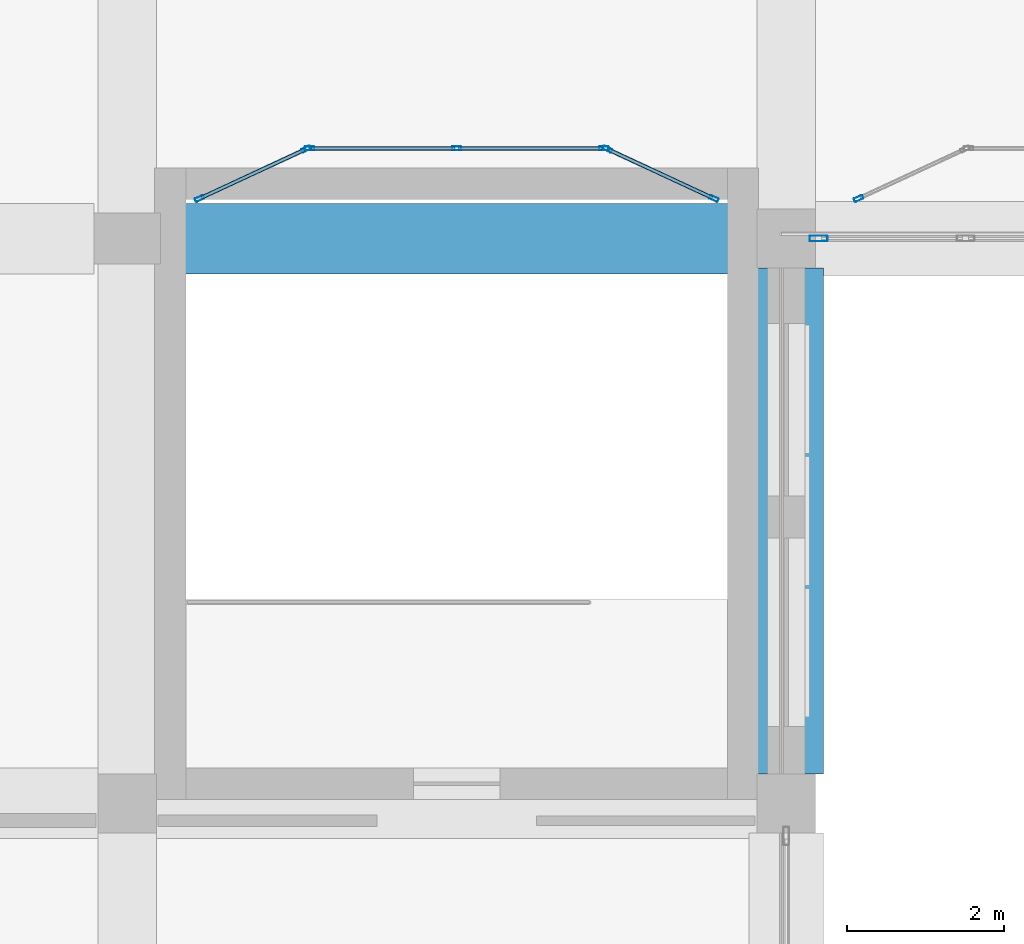
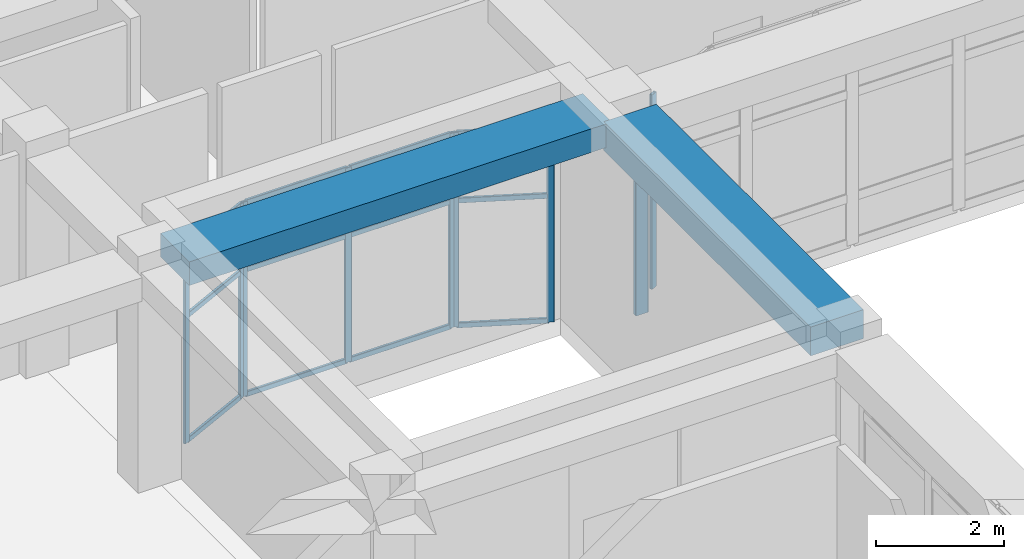
# One storey, part 12 of 121: 21 members, 2 beams, 5 elements without a shape of their own.
"""IFC4 building model written with IfcOpenShell, lengths in metres."""

from ifc_helpers import new_model, si_unit, derived_unit, direction, frame, origin, origin_2d, place, context, subcontext, project, spatial, rectangle, hollow_rectangle, extrude, material, material_profile, profile_set, type_object, element, aggregate, save


model = new_model("IFC4")

# Units and contexts
model_context = context("Model", 3, precision=1e-05, world=origin(), true_north=direction((0.0, 1.0)))
body_context = subcontext(model_context, "Body", "Model", "MODEL_VIEW")
ifc_project = project(units=[si_unit("LENGTHUNIT", "METRE"), si_unit("AREAUNIT", "SQUARE_METRE"), si_unit("VOLUMEUNIT", "CUBIC_METRE"), si_unit("PLANEANGLEUNIT", "RADIAN"), si_unit("MASSUNIT", "GRAM", prefix="KILO"), derived_unit("THERMALTRANSMITTANCEUNIT", [(si_unit("POWERUNIT", "WATT"), 1), (si_unit("LENGTHUNIT", "METRE"), -2), (si_unit("THERMODYNAMICTEMPERATUREUNIT", "KELVIN"), -1)])], contexts=[model_context])

# Site, building, storey
site_placement = place(None, origin())
site = spatial("IfcSite", under=ifc_project, at=site_placement, CompositionType="ELEMENT")
building_placement = place(site_placement, origin())
building = spatial("IfcBuilding", under=site, at=building_placement, Name="Veybourne Emporium", CompositionType="ELEMENT")
storey_placement = place(building_placement, frame((0.0, 0.0, 5.39990234375)))
storey = spatial("IfcBuildingStorey", under=building, at=storey_placement, Name="L01", CompositionType="ELEMENT", Elevation=5.39990234375)

# Curtain wall, member
ifc_material_1 = material(Name="Patinated Architectural Bronze", Category="bronze")
curtain_wall_type_1 = type_object("IfcCurtainWallType", Name="CWSystem_CWS-10", PredefinedType="NOTDEFINED", material=ifc_material_1)
curtain_wall_1_placement = place(storey_placement, origin())
curtain_wall_1 = element("IfcCurtainWall", 1, at=curtain_wall_1_placement, inside=storey, type_object=curtain_wall_type_1, Name="L01 bronze glazed curtain wall CWS-10 (035)", PredefinedType="NOTDEFINED")
ifc_material_profile_1 = material_profile(ifc_material_1, hollow_rectangle(XDim=0.074951171875, YDim=0.22998046875, WallThickness=0.0048828125, InnerFilletRadius=0.007568359375, OuterFilletRadius=0.012451171875, at=origin_2d()), Name="CWM 75x230x5")
ifc_profile_set_1 = profile_set([ifc_material_profile_1], Name="Patinated Architectural Bronze")
member_type_1 = type_object("IfcMemberType", Name="CWMullion_CW-M2", PredefinedType="MULLION", material=ifc_profile_set_1)
member_1_placement = place(storey_placement, frame((59.21240234375, 21.60009765625, 0.0), z_axis=(0.0, 0.0, 1.0), x_axis=(0.0, -1.0, 0.0)))
member_1 = element("IfcMember", 2, at=member_1_placement, type_object=member_type_1, Name="CWS-10 mullion 5", PredefinedType="MULLION", context=body_context, shape_type="SweptSolid", body=[
    extrude(hollow_rectangle(XDim=0.074951171875, YDim=0.22998046875, WallThickness=0.0048828125, InnerFilletRadius=0.007568359375, OuterFilletRadius=0.012451171875, at=origin_2d()), origin(), (0.0, 0.0, 1.0), 3.630126953125),
])
aggregate(curtain_wall_1, [member_1])

# Curtain wall, members
curtain_wall_type_2 = type_object("IfcCurtainWallType", Name="CWSystem_CWI-01", PredefinedType="NOTDEFINED", material=ifc_material_1)
curtain_wall_2_placement = place(storey_placement, origin())
curtain_wall_2 = element("IfcCurtainWall", 3, at=curtain_wall_2_placement, inside=storey, type_object=curtain_wall_type_2, Name="Arcade bow-front boutique shopfront L01 bay 6 facet 1", PredefinedType="NOTDEFINED")
ifc_material_profile_2 = material_profile(ifc_material_1, hollow_rectangle(XDim=0.050048828125, YDim=0.1201171875, WallThickness=0.00390625, InnerFilletRadius=0.006103515625, OuterFilletRadius=0.010009765625, at=origin_2d()), Name="CWM 50x120x4")
ifc_profile_set_2 = profile_set([ifc_material_profile_2], Name="Patinated Architectural Bronze")
member_type_2 = type_object("IfcMemberType", Name="CWMullion_CW-M5", PredefinedType="MULLION", material=ifc_profile_set_2)
member_2_placement = place(storey_placement, frame((51.32275390625, 22.110595703125, 0.0), z_axis=(0.0, 0.0, 1.0), x_axis=(-0.421111306453, 0.907008967749, 0.0)))
member_2 = element("IfcMember", 4, at=member_2_placement, type_object=member_type_2, Name="CWI-01 mullion 1", PredefinedType="MULLION", context=body_context, shape_type="SweptSolid", body=[
    extrude(hollow_rectangle(XDim=0.050048828125, YDim=0.1201171875, WallThickness=0.00390625, InnerFilletRadius=0.006103515625, OuterFilletRadius=0.010009765625, at=origin_2d()), origin(), (0.0, 0.0, 1.0), 3.7001953125),
])
member_3_placement = place(storey_placement, frame((52.67724609375, 22.739501953125, 0.0), z_axis=(0.0, 0.0, 1.0), x_axis=(-0.421111306453, 0.907008967749, 0.0)))
member_3 = element("IfcMember", 5, at=member_3_placement, type_object=member_type_2, Name="CWI-01 mullion 2", PredefinedType="MULLION", context=body_context, shape_type="SweptSolid", body=[
    extrude(hollow_rectangle(XDim=0.050048828125, YDim=0.1201171875, WallThickness=0.00390625, InnerFilletRadius=0.006103515625, OuterFilletRadius=0.010009765625, at=origin_2d()), origin(), (0.0, 0.0, 1.0), 3.7001953125),
])

curtain_wall_type_3 = type_object("IfcCurtainWallType", Name="CWSystem_CWI-02", PredefinedType="NOTDEFINED", material=ifc_material_1)
curtain_wall_3_placement = place(storey_placement, origin())
curtain_wall_3 = element("IfcCurtainWall", 6, at=curtain_wall_3_placement, inside=storey, type_object=curtain_wall_type_3, Name="Arcade bow-front boutique shopfront L01 bay 6 facet 2", PredefinedType="NOTDEFINED")
member_4_placement = place(storey_placement, frame((52.72509765625, 22.75, 0.0), z_axis=(0.0, 0.0, 1.0), x_axis=(0.0, 1.0, 0.0)))
member_4 = element("IfcMember", 7, at=member_4_placement, type_object=member_type_2, Name="CWI-02 mullion 1", PredefinedType="MULLION", context=body_context, shape_type="SweptSolid", body=[
    extrude(hollow_rectangle(XDim=0.050048828125, YDim=0.1201171875, WallThickness=0.00390625, InnerFilletRadius=0.006103515625, OuterFilletRadius=0.010009765625, at=origin_2d()), origin(), (0.0, 0.0, 1.0), 3.7001953125),
])
member_5_placement = place(storey_placement, frame((54.60009765625, 22.75, 0.0), z_axis=(0.0, 0.0, 1.0), x_axis=(0.0, 1.0, 0.0)))
member_5 = element("IfcMember", 8, at=member_5_placement, type_object=member_type_2, Name="CWI-02 mullion 2", PredefinedType="MULLION", context=body_context, shape_type="SweptSolid", body=[
    extrude(hollow_rectangle(XDim=0.050048828125, YDim=0.1201171875, WallThickness=0.00390625, InnerFilletRadius=0.006103515625, OuterFilletRadius=0.010009765625, at=origin_2d()), origin(), (0.0, 0.0, 1.0), 3.7001953125),
])
member_6_placement = place(storey_placement, frame((56.47509765625, 22.75, 0.0), z_axis=(0.0, 0.0, 1.0), x_axis=(0.0, 1.0, 0.0)))
member_6 = element("IfcMember", 9, at=member_6_placement, type_object=member_type_2, Name="CWI-02 mullion 3", PredefinedType="MULLION", context=body_context, shape_type="SweptSolid", body=[
    extrude(hollow_rectangle(XDim=0.050048828125, YDim=0.1201171875, WallThickness=0.00390625, InnerFilletRadius=0.006103515625, OuterFilletRadius=0.010009765625, at=origin_2d()), origin(), (0.0, 0.0, 1.0), 3.7001953125),
])

curtain_wall_type_4 = type_object("IfcCurtainWallType", Name="CWSystem_CWI-03", PredefinedType="NOTDEFINED", material=ifc_material_1)
curtain_wall_4_placement = place(storey_placement, origin())
curtain_wall_4 = element("IfcCurtainWall", 10, at=curtain_wall_4_placement, inside=storey, type_object=curtain_wall_type_4, Name="Arcade bow-front boutique shopfront L01 bay 6 facet 3", PredefinedType="NOTDEFINED")
member_7_placement = place(storey_placement, frame((56.522705078125, 22.739501953125, 0.0), z_axis=(0.0, 0.0, 1.0), x_axis=(0.421111306453, 0.907008967749, 0.0)))
member_7 = element("IfcMember", 11, at=member_7_placement, type_object=member_type_2, Name="CWI-03 mullion 1", PredefinedType="MULLION", context=body_context, shape_type="SweptSolid", body=[
    extrude(hollow_rectangle(XDim=0.050048828125, YDim=0.1201171875, WallThickness=0.00390625, InnerFilletRadius=0.006103515625, OuterFilletRadius=0.010009765625, at=origin_2d()), origin(), (0.0, 0.0, 1.0), 3.7001953125),
])
member_8_placement = place(storey_placement, frame((57.87744140625, 22.110595703125, 0.0), z_axis=(0.0, 0.0, 1.0), x_axis=(0.421111306453, 0.907008967749, 0.0)))
member_8 = element("IfcMember", 12, at=member_8_placement, type_object=member_type_2, Name="CWI-03 mullion 2", PredefinedType="MULLION", context=body_context, shape_type="SweptSolid", body=[
    extrude(hollow_rectangle(XDim=0.050048828125, YDim=0.1201171875, WallThickness=0.00390625, InnerFilletRadius=0.006103515625, OuterFilletRadius=0.010009765625, at=origin_2d()), origin(), (0.0, 0.0, 1.0), 3.7001953125),
])

# Curtain wall, member
curtain_wall_5_placement = place(storey_placement, origin())
curtain_wall_5 = element("IfcCurtainWall", 13, at=curtain_wall_5_placement, inside=storey, type_object=curtain_wall_type_3, Name="Arcade bow-front boutique shopfront L01 bay 7 facet 1", PredefinedType="NOTDEFINED")
member_9_placement = place(storey_placement, frame((59.72265625, 22.110595703125, 0.0), z_axis=(0.0, 0.0, 1.0), x_axis=(-0.421111306453, 0.907008967749, 0.0)))
member_9 = element("IfcMember", 14, at=member_9_placement, type_object=member_type_2, Name="CWI-02 mullion 1", PredefinedType="MULLION", context=body_context, shape_type="SweptSolid", body=[
    extrude(hollow_rectangle(XDim=0.050048828125, YDim=0.1201171875, WallThickness=0.00390625, InnerFilletRadius=0.006103515625, OuterFilletRadius=0.010009765625, at=origin_2d()), origin(), (0.0, 0.0, 1.0), 3.7001953125),
])
aggregate(curtain_wall_5, [member_9])

# Member
ifc_material_profile_3 = material_profile(ifc_material_1, hollow_rectangle(XDim=0.050048828125, YDim=0.10009765625, WallThickness=0.00390625, InnerFilletRadius=0.006103515625, OuterFilletRadius=0.010009765625, at=origin_2d()), Name="CWT 50x100x4")
ifc_profile_set_3 = profile_set([ifc_material_profile_3], Name="Patinated Architectural Bronze")
member_type_3 = type_object("IfcMemberType", Name="CWTransom_CW-T5", PredefinedType="NOTDEFINED", material=ifc_profile_set_3)
member_10_placement = place(storey_placement, frame((51.345458984375, 22.12109375, 0.025146484375), z_axis=(0.906976661713, 0.421180881698, 0.0), x_axis=(-0.421180881698, 0.906976661713, 0.0)))
member_10 = element("IfcMember", 15, at=member_10_placement, type_object=member_type_3, Name="CWI-01 transom 1.1", ObjectType="TRANSOM", PredefinedType="USERDEFINED", context=body_context, shape_type="SweptSolid", body=[
    extrude(hollow_rectangle(XDim=0.050048828125, YDim=0.10009765625, WallThickness=0.00390625, InnerFilletRadius=0.006103515625, OuterFilletRadius=0.010009765625, at=origin_2d()), origin(), (0.0, 0.0, 1.0), 1.443359375),
])

member_11_placement = place(storey_placement, frame((51.345458984375, 22.12109375, 2.400146484375), z_axis=(0.906976661713, 0.421180881698, 0.0), x_axis=(-0.421180881698, 0.906976661713, 0.0)))
member_11 = element("IfcMember", 16, at=member_11_placement, type_object=member_type_3, Name="CWI-01 transom 1.2", ObjectType="TRANSOM", PredefinedType="USERDEFINED", context=body_context, shape_type="SweptSolid", body=[
    extrude(hollow_rectangle(XDim=0.050048828125, YDim=0.10009765625, WallThickness=0.00390625, InnerFilletRadius=0.006103515625, OuterFilletRadius=0.010009765625, at=origin_2d()), origin(), (0.0, 0.0, 1.0), 1.443359375),
])

member_12_placement = place(storey_placement, frame((51.345458984375, 22.12109375, 3.675048828125), z_axis=(0.906976661713, 0.421180881698, 0.0), x_axis=(-0.421180881698, 0.906976661713, 0.0)))
member_12 = element("IfcMember", 17, at=member_12_placement, type_object=member_type_3, Name="CWI-01 transom 1.3", ObjectType="TRANSOM", PredefinedType="USERDEFINED", context=body_context, shape_type="SweptSolid", body=[
    extrude(hollow_rectangle(XDim=0.050048828125, YDim=0.10009765625, WallThickness=0.00390625, InnerFilletRadius=0.006103515625, OuterFilletRadius=0.010009765625, at=origin_2d()), origin(), (0.0, 0.0, 1.0), 1.443359375),
])

aggregate(curtain_wall_2, [member_2, member_3, member_10, member_11, member_12])

member_13_placement = place(storey_placement, frame((52.75, 22.75, 0.025146484375), z_axis=(1.0, 0.0, 0.0), x_axis=(0.0, 1.0, 0.0)))
member_13 = element("IfcMember", 18, at=member_13_placement, type_object=member_type_3, Name="CWI-02 transom 1.1", ObjectType="TRANSOM", PredefinedType="USERDEFINED", context=body_context, shape_type="SweptSolid", body=[
    extrude(hollow_rectangle(XDim=0.050048828125, YDim=0.10009765625, WallThickness=0.00390625, InnerFilletRadius=0.006103515625, OuterFilletRadius=0.010009765625, at=origin_2d()), origin(), (0.0, 0.0, 1.0), 1.824951171875),
])

member_14_placement = place(storey_placement, frame((52.75, 22.75, 2.400146484375), z_axis=(1.0, 0.0, 0.0), x_axis=(0.0, 1.0, 0.0)))
member_14 = element("IfcMember", 19, at=member_14_placement, type_object=member_type_3, Name="CWI-02 transom 1.2", ObjectType="TRANSOM", PredefinedType="USERDEFINED", context=body_context, shape_type="SweptSolid", body=[
    extrude(hollow_rectangle(XDim=0.050048828125, YDim=0.10009765625, WallThickness=0.00390625, InnerFilletRadius=0.006103515625, OuterFilletRadius=0.010009765625, at=origin_2d()), origin(), (0.0, 0.0, 1.0), 1.824951171875),
])

member_15_placement = place(storey_placement, frame((52.75, 22.75, 3.675048828125), z_axis=(1.0, 0.0, 0.0), x_axis=(0.0, 1.0, 0.0)))
member_15 = element("IfcMember", 20, at=member_15_placement, type_object=member_type_3, Name="CWI-02 transom 1.3", ObjectType="TRANSOM", PredefinedType="USERDEFINED", context=body_context, shape_type="SweptSolid", body=[
    extrude(hollow_rectangle(XDim=0.050048828125, YDim=0.10009765625, WallThickness=0.00390625, InnerFilletRadius=0.006103515625, OuterFilletRadius=0.010009765625, at=origin_2d()), origin(), (0.0, 0.0, 1.0), 1.824951171875),
])

member_16_placement = place(storey_placement, frame((54.625, 22.75, 0.025146484375), z_axis=(1.0, 0.0, 0.0), x_axis=(0.0, 1.0, 0.0)))
member_16 = element("IfcMember", 21, at=member_16_placement, type_object=member_type_3, Name="CWI-02 transom 2.1", ObjectType="TRANSOM", PredefinedType="USERDEFINED", context=body_context, shape_type="SweptSolid", body=[
    extrude(hollow_rectangle(XDim=0.050048828125, YDim=0.10009765625, WallThickness=0.00390625, InnerFilletRadius=0.006103515625, OuterFilletRadius=0.010009765625, at=origin_2d()), origin(), (0.0, 0.0, 1.0), 1.824951171875),
])

member_17_placement = place(storey_placement, frame((54.625, 22.75, 2.400146484375), z_axis=(1.0, 0.0, 0.0), x_axis=(0.0, 1.0, 0.0)))
member_17 = element("IfcMember", 22, at=member_17_placement, type_object=member_type_3, Name="CWI-02 transom 2.2", ObjectType="TRANSOM", PredefinedType="USERDEFINED", context=body_context, shape_type="SweptSolid", body=[
    extrude(hollow_rectangle(XDim=0.050048828125, YDim=0.10009765625, WallThickness=0.00390625, InnerFilletRadius=0.006103515625, OuterFilletRadius=0.010009765625, at=origin_2d()), origin(), (0.0, 0.0, 1.0), 1.824951171875),
])

member_18_placement = place(storey_placement, frame((54.625, 22.75, 3.675048828125), z_axis=(1.0, 0.0, 0.0), x_axis=(0.0, 1.0, 0.0)))
member_18 = element("IfcMember", 23, at=member_18_placement, type_object=member_type_3, Name="CWI-02 transom 2.3", ObjectType="TRANSOM", PredefinedType="USERDEFINED", context=body_context, shape_type="SweptSolid", body=[
    extrude(hollow_rectangle(XDim=0.050048828125, YDim=0.10009765625, WallThickness=0.00390625, InnerFilletRadius=0.006103515625, OuterFilletRadius=0.010009765625, at=origin_2d()), origin(), (0.0, 0.0, 1.0), 1.824951171875),
])

aggregate(curtain_wall_3, [member_4, member_5, member_6, member_13, member_14, member_15, member_16, member_17, member_18])

member_19_placement = place(storey_placement, frame((56.54541015625, 22.72900390625, 0.025146484375), z_axis=(0.907006660705, -0.421116275435, 0.0), x_axis=(0.421116275435, 0.907006660705, 0.0)))
member_19 = element("IfcMember", 24, at=member_19_placement, type_object=member_type_3, Name="CWI-03 transom 1.1", ObjectType="TRANSOM", PredefinedType="USERDEFINED", context=body_context, shape_type="SweptSolid", body=[
    extrude(hollow_rectangle(XDim=0.050048828125, YDim=0.10009765625, WallThickness=0.00390625, InnerFilletRadius=0.006103515625, OuterFilletRadius=0.010009765625, at=origin_2d()), origin(), (0.0, 0.0, 1.0), 1.443603515625),
])

member_20_placement = place(storey_placement, frame((56.54541015625, 22.72900390625, 2.400146484375), z_axis=(0.907006660705, -0.421116275435, 0.0), x_axis=(0.421116275435, 0.907006660705, 0.0)))
member_20 = element("IfcMember", 25, at=member_20_placement, type_object=member_type_3, Name="CWI-03 transom 1.2", ObjectType="TRANSOM", PredefinedType="USERDEFINED", context=body_context, shape_type="SweptSolid", body=[
    extrude(hollow_rectangle(XDim=0.050048828125, YDim=0.10009765625, WallThickness=0.00390625, InnerFilletRadius=0.006103515625, OuterFilletRadius=0.010009765625, at=origin_2d()), origin(), (0.0, 0.0, 1.0), 1.443603515625),
])

member_21_placement = place(storey_placement, frame((56.54541015625, 22.72900390625, 3.675048828125), z_axis=(0.907006660705, -0.421116275435, 0.0), x_axis=(0.421116275435, 0.907006660705, 0.0)))
member_21 = element("IfcMember", 26, at=member_21_placement, type_object=member_type_3, Name="CWI-03 transom 1.3", ObjectType="TRANSOM", PredefinedType="USERDEFINED", context=body_context, shape_type="SweptSolid", body=[
    extrude(hollow_rectangle(XDim=0.050048828125, YDim=0.10009765625, WallThickness=0.00390625, InnerFilletRadius=0.006103515625, OuterFilletRadius=0.010009765625, at=origin_2d()), origin(), (0.0, 0.0, 1.0), 1.443603515625),
])

aggregate(curtain_wall_4, [member_7, member_8, member_19, member_20, member_21])

# Beams
ifc_material_2 = material(Name="Concrete C32/40", Category="concrete")
ifc_material_profile_4 = material_profile(ifc_material_2, rectangle(XDim=0.89990234375, YDim=0.449951171875, at=origin_2d()), Name="RC 900x450")
ifc_profile_set_4 = profile_set([ifc_material_profile_4], Name="Concrete C32/40")
beam_type_1 = type_object("IfcBeamType", Name="RCBeam_BB-03", PredefinedType="BEAM", material=ifc_profile_set_4)
beam_1_placement = place(storey_placement, frame((50.824951171875, 21.60009765625, 3.955078125), z_axis=(1.0, 0.0, 0.0), x_axis=(0.0, 1.0, 0.0)))
element("IfcBeam", 27, at=beam_1_placement, inside=storey, type_object=beam_type_1, Name="L01 X-grid beam BB-03 (6,3)", PredefinedType="BEAM", context=body_context, shape_type="SweptSolid", body=[
    extrude(rectangle(XDim=0.89990234375, YDim=0.449951171875, at=origin_2d()), origin(), (0.0, 0.0, 1.0), 7.60009765625),
])
ifc_material_profile_5 = material_profile(ifc_material_2, rectangle(XDim=0.949951171875, YDim=0.550048828125, at=origin_2d()), Name="RC 950x550")
ifc_profile_set_5 = profile_set([ifc_material_profile_5], Name="Concrete C32/40")
beam_type_2 = type_object("IfcBeamType", Name="RCBeam_EB-01", PredefinedType="SPANDREL", material=ifc_profile_set_5)
beam_2_placement = place(storey_placement, frame((58.800048828125, 14.77490234375, 3.905029296875), z_axis=(0.0, 1.0, 0.0), x_axis=(-1.0, 0.0, 0.0)))
element("IfcBeam", 28, at=beam_2_placement, inside=storey, type_object=beam_type_2, Name="L01 Y-grid beam EB-01 (7,2)", PredefinedType="SPANDREL", context=body_context, shape_type="SweptSolid", body=[
    extrude(rectangle(XDim=0.949951171875, YDim=0.550048828125, at=origin_2d()), origin(), (0.0, 0.0, 1.0), 6.4501953125),
])

save(model, "model.ifc")
